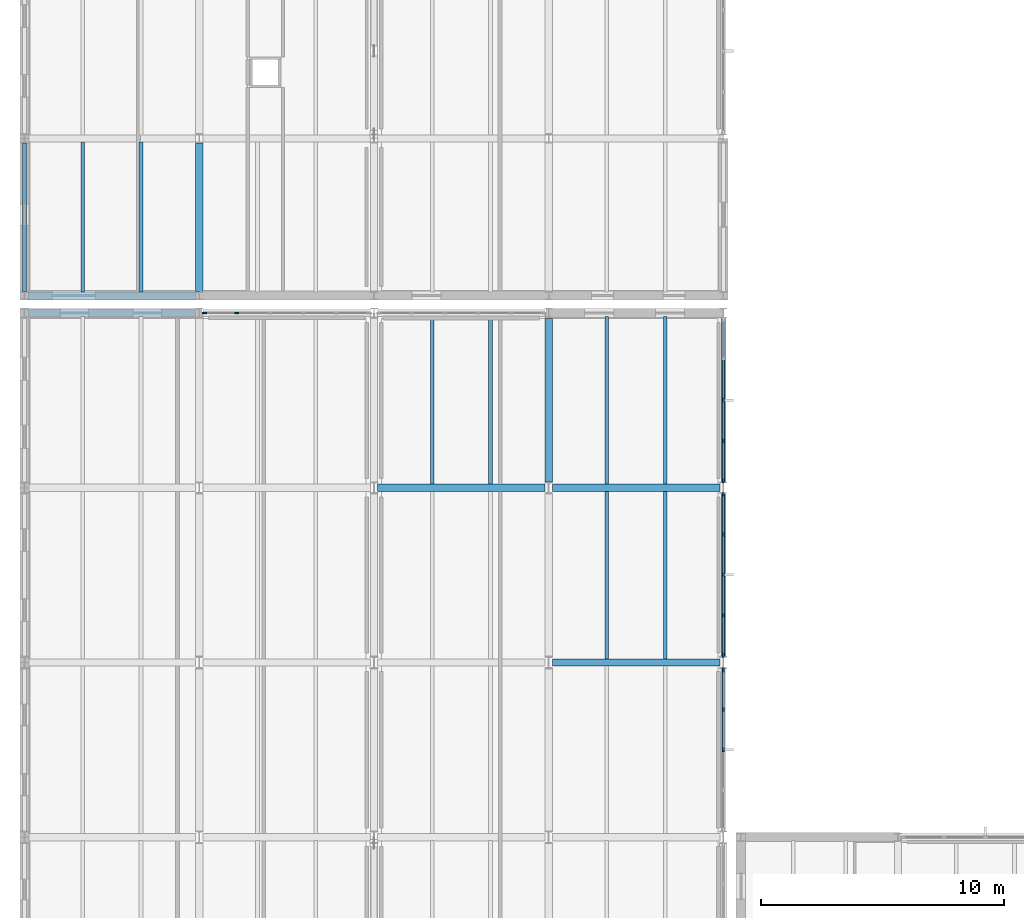
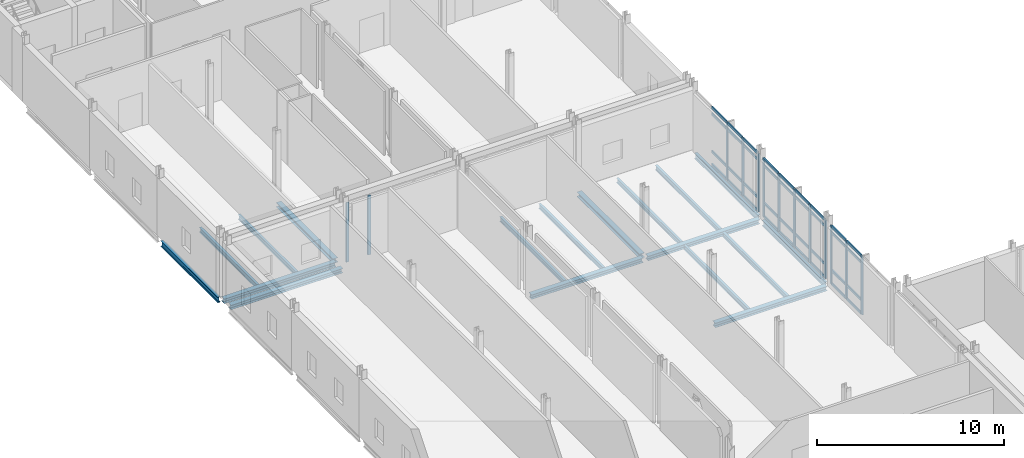
# One storey, part 18 of 76: 49 members, 18 beams, 4 elements without a shape of their own.
"""IFC4 building model written with IfcOpenShell, lengths in metres."""

from ifc_helpers import new_model, si_unit, direction, frame, origin, origin_2d, place, context, subcontext, project, spatial, rectangle, i_section, extrude, material, layer, layer_set, material_profile, profile_set, type_object, element, aggregate, save


model = new_model("IFC4")

# Units and contexts
model_context = context("Model", 3, precision=1e-05, world=origin(), true_north=direction((0.0, 1.0)))
body_context = subcontext(model_context, "Body", "Model", "MODEL_VIEW")
ifc_project = project(units=[si_unit("LENGTHUNIT", "METRE"), si_unit("AREAUNIT", "SQUARE_METRE"), si_unit("VOLUMEUNIT", "CUBIC_METRE"), si_unit("PLANEANGLEUNIT", "RADIAN"), si_unit("MASSUNIT", "GRAM", prefix="KILO")], contexts=[model_context])

# Site, building, storey
site_placement = place(None, origin())
site = spatial("IfcSite", under=ifc_project, at=site_placement, CompositionType="ELEMENT")
building_placement = place(site_placement, origin())
building = spatial("IfcBuilding", under=site, at=building_placement, Name="Zarrinpeak Specialist Clinic", CompositionType="ELEMENT")
storey_placement = place(building_placement, frame((0.0, 0.0, 5.199951171875)))
storey = spatial("IfcBuildingStorey", under=building, at=storey_placement, Name="L01", CompositionType="ELEMENT", Elevation=5.199951171875)

# Beams
ifc_material_1 = material(Name="Steel S355", Category="steel")
ifc_material_profile_1 = material_profile(ifc_material_1, i_section(OverallWidth=0.300048828125, OverallDepth=0.2900390625, WebThickness=0.008544921875, FlangeThickness=0.013916015625, FilletRadius=0.027099609375, at=origin_2d()), Name="HEA 300")
ifc_profile_set_1 = profile_set([ifc_material_profile_1], Name="Steel S355")
beam_type_1 = type_object("IfcBeamType", Name="BM-HEA300", PredefinedType="BEAM", material=ifc_profile_set_1)
beam_1_placement = place(storey_placement, frame((21.748046875, 36.0, -0.375), z_axis=(1.0, 0.0, 0.0), x_axis=(0.0, 1.0, 0.0)))
element("IfcBeam", 1, at=beam_1_placement, inside=storey, type_object=beam_type_1, Name="L01 Primary Floor Girder BM-L01-X0768", PredefinedType="BEAM", context=body_context, shape_type="SweptSolid", body=[
    extrude(i_section(OverallWidth=0.300048828125, OverallDepth=0.2900390625, WebThickness=0.008544921875, FlangeThickness=0.013916015625, FilletRadius=0.027099609375, at=origin_2d()), origin(), (0.0, 0.0, 1.0), 6.904052734375),
])
beam_2_placement = place(storey_placement, frame((14.548095703125, 43.199951171875, -0.375), z_axis=(1.0, 0.0, 0.0), x_axis=(0.0, 1.0, 0.0)))
element("IfcBeam", 2, at=beam_2_placement, inside=storey, type_object=beam_type_1, Name="L01 Primary Floor Girder BM-L01-X0772", PredefinedType="BEAM", context=body_context, shape_type="SweptSolid", body=[
    extrude(i_section(OverallWidth=0.300048828125, OverallDepth=0.2900390625, WebThickness=0.008544921875, FlangeThickness=0.013916015625, FilletRadius=0.027099609375, at=origin_2d()), origin(), (0.0, 0.0, 1.0), 6.90380859375),
])
for number, where, z_axis, x_axis, name in (
    (3, (21.748046875, 43.199951171875, -0.375), (1.0, 0.0, 0.0), (0.0, 1.0, 0.0), "L01 Primary Floor Girder BM-L01-X0773"),
    (4, (0.14794921875, 50.39990234375, -0.375), (1.0, 0.0, 0.0), (0.0, 1.0, 0.0), "L01 Primary Floor Girder BM-L01-X0776"),
    (5, (0.14794921875, 51.1201171875, -0.405029296875), (1.0, 0.0, 0.0), (0.0, 1.0, 0.0), "L01 Primary Floor Girder BM-L01-X0781"),
):
    element("IfcBeam", number, at=place(storey_placement, frame(where, z_axis=z_axis, x_axis=x_axis)), inside=storey, type_object=beam_type_1, Name=name, PredefinedType="BEAM", context=body_context, shape_type="SweptSolid", body=[
        extrude(i_section(OverallWidth=0.300048828125, OverallDepth=0.2900390625, WebThickness=0.008544921875, FlangeThickness=0.013916015625, FilletRadius=0.027099609375, at=origin_2d()), origin(), (0.0, 0.0, 1.0), 6.904052734375),
    ])
beam_3_placement = place(storey_placement, frame((7.199951171875, 51.298095703125, -0.405029296875), z_axis=(0.0, 1.0, 0.0), x_axis=(-1.0, 0.0, 0.0)))
element("IfcBeam", 6, at=beam_3_placement, inside=storey, type_object=beam_type_1, Name="L01 Primary Beam BM-L01-Y0845", PredefinedType="BEAM", context=body_context, shape_type="SweptSolid", body=[
    extrude(i_section(OverallWidth=0.300048828125, OverallDepth=0.2900390625, WebThickness=0.008544921875, FlangeThickness=0.013916015625, FilletRadius=0.027099609375, at=origin_2d()), origin(), (0.0, 0.0, 1.0), 6.10400390625),
])
beam_4_placement = place(storey_placement, frame((21.60009765625, 43.447998046875, -0.375), z_axis=(0.0, 1.0, 0.0), x_axis=(-1.0, 0.0, 0.0)))
element("IfcBeam", 7, at=beam_4_placement, inside=storey, type_object=beam_type_1, Name="L01 Primary Beam BM-L01-Y0868", PredefinedType="BEAM", context=body_context, shape_type="SweptSolid", body=[
    extrude(i_section(OverallWidth=0.300048828125, OverallDepth=0.2900390625, WebThickness=0.008544921875, FlangeThickness=0.013916015625, FilletRadius=0.027099609375, at=origin_2d()), origin(), (0.0, 0.0, 1.0), 6.72900390625),
])
ifc_material_profile_2 = material_profile(ifc_material_1, i_section(OverallWidth=0.14990234375, OverallDepth=0.300048828125, WebThickness=0.007080078125, FlangeThickness=0.0107421875, FilletRadius=0.014892578125, at=origin_2d()), Name="IPE 300")
ifc_profile_set_2 = profile_set([ifc_material_profile_2], Name="Steel S355")
beam_type_2 = type_object("IfcBeamType", Name="BM-JST300", PredefinedType="JOIST", material=ifc_profile_set_2)
for number, where, z_axis, x_axis, name in (
    (8, (16.800048828125, 43.347900390625, -0.3798828125), (0.0, 1.0, 0.0), (-1.0, 0.0, 0.0), "L01 Composite Floor Joist JST-L01-0979"),
    (9, (19.199951171875, 43.347900390625, -0.3798828125), (0.0, 1.0, 0.0), (-1.0, 0.0, 0.0), "L01 Composite Floor Joist JST-L01-0980"),
    (10, (24.0, 36.14794921875, -0.3798828125), (0.0, 1.0, 0.0), (-1.0, 0.0, 0.0), "L01 Composite Floor Joist JST-L01-0985"),
    (11, (26.39990234375, 36.14794921875, -0.3798828125), (0.0, 1.0, 0.0), (-1.0, 0.0, 0.0), "L01 Composite Floor Joist JST-L01-0986"),
    (12, (24.0, 43.347900390625, -0.3798828125), (0.0, 1.0, 0.0), (-1.0, 0.0, 0.0), "L01 Composite Floor Joist JST-L01-0987"),
    (13, (26.39990234375, 43.347900390625, -0.3798828125), (0.0, 1.0, 0.0), (-1.0, 0.0, 0.0), "L01 Composite Floor Joist JST-L01-0988"),
):
    element("IfcBeam", number, at=place(storey_placement, frame(where, z_axis=z_axis, x_axis=x_axis)), inside=storey, type_object=beam_type_2, Name=name, PredefinedType="JOIST", context=body_context, shape_type="SweptSolid", body=[
        extrude(i_section(OverallWidth=0.14990234375, OverallDepth=0.300048828125, WebThickness=0.007080078125, FlangeThickness=0.0107421875, FilletRadius=0.014892578125, at=origin_2d()), origin(), (0.0, 0.0, 1.0), 6.904052734375),
    ])
for number, where, z_axis, x_axis, name in (
    (14, (2.39990234375, 51.26806640625, -0.409912109375), (0.0, 1.0, 0.0), (-1.0, 0.0, 0.0), "L01 Composite Floor Joist JST-L01-1045"),
    (15, (4.800048828125, 51.26806640625, -0.409912109375), (0.0, 1.0, 0.0), (-1.0, 0.0, 0.0), "L01 Composite Floor Joist JST-L01-1046"),
):
    element("IfcBeam", number, at=place(storey_placement, frame(where, z_axis=z_axis, x_axis=x_axis)), inside=storey, type_object=beam_type_2, Name=name, PredefinedType="JOIST", context=body_context, shape_type="SweptSolid", body=[
        extrude(i_section(OverallWidth=0.14990234375, OverallDepth=0.300048828125, WebThickness=0.007080078125, FlangeThickness=0.0107421875, FilletRadius=0.014892578125, at=origin_2d()), origin(), (0.0, 0.0, 1.0), 6.183837890625),
    ])
ifc_material_profile_3 = material_profile(ifc_material_1, i_section(OverallWidth=0.169921875, OverallDepth=0.360107421875, WebThickness=0.008056640625, FlangeThickness=0.0126953125, FilletRadius=0.01806640625, at=origin_2d()), Name="IPE 360")
ifc_profile_set_3 = profile_set([ifc_material_profile_3], Name="Steel S355")
beam_type_3 = type_object("IfcBeamType", Name="BM-SP360", PredefinedType="SPANDREL", material=ifc_profile_set_3)
beam_5_placement = place(storey_placement, frame((0.0, 51.298095703125, -0.43994140625), z_axis=(0.0, 1.0, 0.0), x_axis=(-1.0, 0.0, 0.0)))
element("IfcBeam", 16, at=beam_5_placement, inside=storey, type_object=beam_type_3, Name="L01 Perimeter Spandrel Beam BM-L01-Y0835", PredefinedType="SPANDREL", context=body_context, shape_type="SweptSolid", body=[
    extrude(i_section(OverallWidth=0.169921875, OverallDepth=0.360107421875, WebThickness=0.008056640625, FlangeThickness=0.0126953125, FilletRadius=0.01806640625, at=origin_2d()), origin(), (0.0, 0.0, 1.0), 6.10400390625),
])
beam_6_placement = place(storey_placement, frame((28.800048828125, 36.248046875, -0.409912109375), z_axis=(0.0, 1.0, 0.0), x_axis=(-1.0, 0.0, 0.0)))
element("IfcBeam", 17, at=beam_6_placement, inside=storey, type_object=beam_type_3, Name="L01 Perimeter Spandrel Beam BM-L01-Y0876", PredefinedType="SPANDREL", context=body_context, shape_type="SweptSolid", body=[
    extrude(i_section(OverallWidth=0.169921875, OverallDepth=0.360107421875, WebThickness=0.008056640625, FlangeThickness=0.0126953125, FilletRadius=0.01806640625, at=origin_2d()), origin(), (0.0, 0.0, 1.0), 6.703857421875),
])
beam_7_placement = place(storey_placement, frame((28.800048828125, 43.447998046875, -0.409912109375), z_axis=(0.0, 1.0, 0.0), x_axis=(-1.0, 0.0, 0.0)))
element("IfcBeam", 18, at=beam_7_placement, inside=storey, type_object=beam_type_3, Name="L01 Perimeter Spandrel Beam BM-L01-Y0877", PredefinedType="SPANDREL", context=body_context, shape_type="SweptSolid", body=[
    extrude(i_section(OverallWidth=0.169921875, OverallDepth=0.360107421875, WebThickness=0.008056640625, FlangeThickness=0.0126953125, FilletRadius=0.01806640625, at=origin_2d()), origin(), (0.0, 0.0, 1.0), 6.72900390625),
])

# Curtain wall, members
ifc_material_2 = material(Name="Anodised Aluminium Alloy 6063-T6", Category="aluminium")
ifc_layer_1 = layer(ifc_material_2, 0.1650390625)
ifc_layer_set_1 = layer_set([ifc_layer_1], Name="Anodised Aluminium Alloy 6063-T6")
curtain_wall_type_1 = type_object("IfcCurtainWallType", Name="CW-CLINIC", PredefinedType="NOTDEFINED", material=ifc_layer_set_1)
curtain_wall_1_placement = place(storey_placement, origin())
curtain_wall_1 = element("IfcCurtainWall", 19, at=curtain_wall_1_placement, inside=storey, type_object=curtain_wall_type_1, Name="L01 V1 Unitised Curtain Wall CW-L01-V1-007", PredefinedType="NOTDEFINED")
ifc_material_profile_4 = material_profile(ifc_material_2, rectangle(XDim=0.074951171875, YDim=0.179931640625, at=origin_2d()), Name="ALU 75x180")
ifc_profile_set_4 = profile_set([ifc_material_profile_4], Name="Anodised Aluminium Alloy 6063-T6")
member_type_1 = type_object("IfcMemberType", Name="CWM-75", PredefinedType="MULLION", material=ifc_profile_set_4)
member_1_placement = place(storey_placement, frame((8.7451171875, 50.39990234375, 0.0), z_axis=(0.0, 0.0, 1.0), x_axis=(0.0, -1.0, 0.0)))
member_1 = element("IfcMember", 20, at=member_1_placement, type_object=member_type_1, Name="CW-03 mullion 5", PredefinedType="MULLION", context=body_context, shape_type="SweptSolid", body=[
    extrude(rectangle(XDim=0.074951171875, YDim=0.179931640625, at=origin_2d()), origin(), (0.0, 0.0, 1.0), 3.880126953125),
])
member_2_placement = place(storey_placement, frame((7.41259765625, 50.39990234375, 0.0), z_axis=(0.0, 0.0, 1.0), x_axis=(0.0, -1.0, 0.0)))
member_2 = element("IfcMember", 21, at=member_2_placement, type_object=member_type_1, Name="CW-03 mullion 6", PredefinedType="MULLION", context=body_context, shape_type="SweptSolid", body=[
    extrude(rectangle(XDim=0.074951171875, YDim=0.179931640625, at=origin_2d()), origin(), (0.0, 0.0, 1.0), 3.880126953125),
])
aggregate(curtain_wall_1, [member_1, member_2])

ifc_layer_2 = layer(ifc_material_2, 0.179931640625)
ifc_layer_set_2 = layer_set([ifc_layer_2], Name="Anodised Aluminium Alloy 6063-T6")
curtain_wall_type_2 = type_object("IfcCurtainWallType", Name="CW-COURT", PredefinedType="NOTDEFINED", material=ifc_layer_set_2)
curtain_wall_2_placement = place(storey_placement, origin())
curtain_wall_2 = element("IfcCurtainWall", 22, at=curtain_wall_2_placement, inside=storey, type_object=curtain_wall_type_2, Name="L01 V1 Unitised Curtain Wall CW-L01-V1-010", PredefinedType="NOTDEFINED")
member_3_placement = place(storey_placement, frame((28.800048828125, 32.39990234375, 0.0), z_axis=(0.0, 0.0, 1.0), x_axis=(-1.0, 0.0, 0.0)))
member_3 = element("IfcMember", 23, at=member_3_placement, type_object=member_type_1, Name="CW-01 mullion 3", PredefinedType="MULLION", context=body_context, shape_type="SweptSolid", body=[
    extrude(rectangle(XDim=0.074951171875, YDim=0.179931640625, at=origin_2d()), origin(), (0.0, 0.0, 1.0), 3.81005859375),
])
member_4_placement = place(storey_placement, frame((28.800048828125, 34.0625, 0.0), z_axis=(0.0, 0.0, 1.0), x_axis=(-1.0, 0.0, 0.0)))
member_4 = element("IfcMember", 24, at=member_4_placement, type_object=member_type_1, Name="CW-01 mullion 4", PredefinedType="MULLION", context=body_context, shape_type="SweptSolid", body=[
    extrude(rectangle(XDim=0.074951171875, YDim=0.179931640625, at=origin_2d()), origin(), (0.0, 0.0, 1.0), 3.81005859375),
])
member_5_placement = place(storey_placement, frame((28.800048828125, 35.6875, 0.0), z_axis=(0.0, 0.0, 1.0), x_axis=(-1.0, 0.0, 0.0)))
member_5 = element("IfcMember", 25, at=member_5_placement, type_object=member_type_1, Name="CW-01 mullion 5", PredefinedType="MULLION", context=body_context, shape_type="SweptSolid", body=[
    extrude(rectangle(XDim=0.074951171875, YDim=0.179931640625, at=origin_2d()), origin(), (0.0, 0.0, 1.0), 3.81005859375),
])

curtain_wall_3_placement = place(storey_placement, origin())
curtain_wall_3 = element("IfcCurtainWall", 26, at=curtain_wall_3_placement, inside=storey, type_object=curtain_wall_type_2, Name="L01 V1 Unitised Curtain Wall CW-L01-V1-011", PredefinedType="NOTDEFINED")
member_6_placement = place(storey_placement, frame((28.800048828125, 36.3125, 0.0), z_axis=(0.0, 0.0, 1.0), x_axis=(-1.0, 0.0, 0.0)))
member_6 = element("IfcMember", 27, at=member_6_placement, type_object=member_type_1, Name="CW-01 mullion 1", PredefinedType="MULLION", context=body_context, shape_type="SweptSolid", body=[
    extrude(rectangle(XDim=0.074951171875, YDim=0.179931640625, at=origin_2d()), origin(), (0.0, 0.0, 1.0), 3.81005859375),
])
member_7_placement = place(storey_placement, frame((28.800048828125, 37.94384765625, 0.0), z_axis=(0.0, 0.0, 1.0), x_axis=(-1.0, 0.0, 0.0)))
member_7 = element("IfcMember", 28, at=member_7_placement, type_object=member_type_1, Name="CW-01 mullion 2", PredefinedType="MULLION", context=body_context, shape_type="SweptSolid", body=[
    extrude(rectangle(XDim=0.074951171875, YDim=0.179931640625, at=origin_2d()), origin(), (0.0, 0.0, 1.0), 3.81005859375),
])
member_8_placement = place(storey_placement, frame((28.800048828125, 39.612548828125, 0.0), z_axis=(0.0, 0.0, 1.0), x_axis=(-1.0, 0.0, 0.0)))
member_8 = element("IfcMember", 29, at=member_8_placement, type_object=member_type_1, Name="CW-01 mullion 3", PredefinedType="MULLION", context=body_context, shape_type="SweptSolid", body=[
    extrude(rectangle(XDim=0.074951171875, YDim=0.179931640625, at=origin_2d()), origin(), (0.0, 0.0, 1.0), 3.81005859375),
])
member_9_placement = place(storey_placement, frame((28.800048828125, 41.28125, 0.0), z_axis=(0.0, 0.0, 1.0), x_axis=(-1.0, 0.0, 0.0)))
member_9 = element("IfcMember", 30, at=member_9_placement, type_object=member_type_1, Name="CW-01 mullion 4", PredefinedType="MULLION", context=body_context, shape_type="SweptSolid", body=[
    extrude(rectangle(XDim=0.074951171875, YDim=0.179931640625, at=origin_2d()), origin(), (0.0, 0.0, 1.0), 3.81005859375),
])
member_10_placement = place(storey_placement, frame((28.800048828125, 42.91259765625, 0.0), z_axis=(0.0, 0.0, 1.0), x_axis=(-1.0, 0.0, 0.0)))
member_10 = element("IfcMember", 31, at=member_10_placement, type_object=member_type_1, Name="CW-01 mullion 5", PredefinedType="MULLION", context=body_context, shape_type="SweptSolid", body=[
    extrude(rectangle(XDim=0.074951171875, YDim=0.179931640625, at=origin_2d()), origin(), (0.0, 0.0, 1.0), 3.81005859375),
])

curtain_wall_4_placement = place(storey_placement, origin())
curtain_wall_4 = element("IfcCurtainWall", 32, at=curtain_wall_4_placement, inside=storey, type_object=curtain_wall_type_2, Name="L01 V1 Unitised Curtain Wall CW-L01-V1-012", PredefinedType="NOTDEFINED")
member_11_placement = place(storey_placement, frame((28.800048828125, 43.487548828125, 0.0), z_axis=(0.0, 0.0, 1.0), x_axis=(-1.0, 0.0, 0.0)))
member_11 = element("IfcMember", 33, at=member_11_placement, type_object=member_type_1, Name="CW-01 mullion 1", PredefinedType="MULLION", context=body_context, shape_type="SweptSolid", body=[
    extrude(rectangle(XDim=0.074951171875, YDim=0.179931640625, at=origin_2d()), origin(), (0.0, 0.0, 1.0), 3.81005859375),
])
member_12_placement = place(storey_placement, frame((28.800048828125, 45.13134765625, 0.0), z_axis=(0.0, 0.0, 1.0), x_axis=(-1.0, 0.0, 0.0)))
member_12 = element("IfcMember", 34, at=member_12_placement, type_object=member_type_1, Name="CW-01 mullion 2", PredefinedType="MULLION", context=body_context, shape_type="SweptSolid", body=[
    extrude(rectangle(XDim=0.074951171875, YDim=0.179931640625, at=origin_2d()), origin(), (0.0, 0.0, 1.0), 3.81005859375),
])
member_13_placement = place(storey_placement, frame((28.800048828125, 46.8125, 0.0), z_axis=(0.0, 0.0, 1.0), x_axis=(-1.0, 0.0, 0.0)))
member_13 = element("IfcMember", 35, at=member_13_placement, type_object=member_type_1, Name="CW-01 mullion 3", PredefinedType="MULLION", context=body_context, shape_type="SweptSolid", body=[
    extrude(rectangle(XDim=0.074951171875, YDim=0.179931640625, at=origin_2d()), origin(), (0.0, 0.0, 1.0), 3.81005859375),
])

# Member
ifc_material_profile_5 = material_profile(ifc_material_2, rectangle(XDim=0.074951171875, YDim=0.159912109375, at=origin_2d()), Name="ALU 75x160")
ifc_profile_set_5 = profile_set([ifc_material_profile_5], Name="Anodised Aluminium Alloy 6063-T6")
member_type_2 = type_object("IfcMemberType", Name="CWT-75", PredefinedType="USERDEFINED", material=ifc_profile_set_5)
member_14_placement = place(storey_placement, frame((28.800048828125, 32.4375, 0.03759765625), z_axis=(0.0, 1.0, 0.0), x_axis=(-1.0, 0.0, 0.0)))
member_14 = element("IfcMember", 36, at=member_14_placement, type_object=member_type_2, Name="CW-01 transom 3.1", ObjectType="TRANSOM", PredefinedType="USERDEFINED", context=body_context, shape_type="SweptSolid", body=[
    extrude(rectangle(XDim=0.074951171875, YDim=0.159912109375, at=origin_2d()), origin(), (0.0, 0.0, 1.0), 1.58740234375),
])

member_15_placement = place(storey_placement, frame((28.800048828125, 32.4375, 0.900146484375), z_axis=(0.0, 1.0, 0.0), x_axis=(-1.0, 0.0, 0.0)))
member_15 = element("IfcMember", 37, at=member_15_placement, type_object=member_type_2, Name="CW-01 transom 3.2", ObjectType="TRANSOM", PredefinedType="USERDEFINED", context=body_context, shape_type="SweptSolid", body=[
    extrude(rectangle(XDim=0.074951171875, YDim=0.159912109375, at=origin_2d()), origin(), (0.0, 0.0, 1.0), 1.58740234375),
])

member_16_placement = place(storey_placement, frame((28.800048828125, 32.4375, 3.360107421875), z_axis=(0.0, 1.0, 0.0), x_axis=(-1.0, 0.0, 0.0)))
member_16 = element("IfcMember", 38, at=member_16_placement, type_object=member_type_2, Name="CW-01 transom 3.3", ObjectType="TRANSOM", PredefinedType="USERDEFINED", context=body_context, shape_type="SweptSolid", body=[
    extrude(rectangle(XDim=0.074951171875, YDim=0.159912109375, at=origin_2d()), origin(), (0.0, 0.0, 1.0), 1.58740234375),
])

member_17_placement = place(storey_placement, frame((28.800048828125, 32.4375, 3.7724609375), z_axis=(0.0, 1.0, 0.0), x_axis=(-1.0, 0.0, 0.0)))
member_17 = element("IfcMember", 39, at=member_17_placement, type_object=member_type_2, Name="CW-01 transom 3.4", ObjectType="TRANSOM", PredefinedType="USERDEFINED", context=body_context, shape_type="SweptSolid", body=[
    extrude(rectangle(XDim=0.074951171875, YDim=0.159912109375, at=origin_2d()), origin(), (0.0, 0.0, 1.0), 1.58740234375),
])

member_18_placement = place(storey_placement, frame((28.800048828125, 34.10009765625, 0.03759765625), z_axis=(0.0, 1.0, 0.0), x_axis=(-1.0, 0.0, 0.0)))
member_18 = element("IfcMember", 40, at=member_18_placement, type_object=member_type_2, Name="CW-01 transom 4.1", ObjectType="TRANSOM", PredefinedType="USERDEFINED", context=body_context, shape_type="SweptSolid", body=[
    extrude(rectangle(XDim=0.074951171875, YDim=0.159912109375, at=origin_2d()), origin(), (0.0, 0.0, 1.0), 1.5498046875),
])

member_19_placement = place(storey_placement, frame((28.800048828125, 34.10009765625, 0.900146484375), z_axis=(0.0, 1.0, 0.0), x_axis=(-1.0, 0.0, 0.0)))
member_19 = element("IfcMember", 41, at=member_19_placement, type_object=member_type_2, Name="CW-01 transom 4.2", ObjectType="TRANSOM", PredefinedType="USERDEFINED", context=body_context, shape_type="SweptSolid", body=[
    extrude(rectangle(XDim=0.074951171875, YDim=0.159912109375, at=origin_2d()), origin(), (0.0, 0.0, 1.0), 1.5498046875),
])

member_20_placement = place(storey_placement, frame((28.800048828125, 34.10009765625, 3.360107421875), z_axis=(0.0, 1.0, 0.0), x_axis=(-1.0, 0.0, 0.0)))
member_20 = element("IfcMember", 42, at=member_20_placement, type_object=member_type_2, Name="CW-01 transom 4.3", ObjectType="TRANSOM", PredefinedType="USERDEFINED", context=body_context, shape_type="SweptSolid", body=[
    extrude(rectangle(XDim=0.074951171875, YDim=0.159912109375, at=origin_2d()), origin(), (0.0, 0.0, 1.0), 1.5498046875),
])

member_21_placement = place(storey_placement, frame((28.800048828125, 34.10009765625, 3.7724609375), z_axis=(0.0, 1.0, 0.0), x_axis=(-1.0, 0.0, 0.0)))
member_21 = element("IfcMember", 43, at=member_21_placement, type_object=member_type_2, Name="CW-01 transom 4.4", ObjectType="TRANSOM", PredefinedType="USERDEFINED", context=body_context, shape_type="SweptSolid", body=[
    extrude(rectangle(XDim=0.074951171875, YDim=0.159912109375, at=origin_2d()), origin(), (0.0, 0.0, 1.0), 1.5498046875),
])

aggregate(curtain_wall_2, [member_3, member_4, member_5, member_14, member_15, member_16, member_17, member_18, member_19, member_20, member_21])

member_22_placement = place(storey_placement, frame((28.800048828125, 36.35009765625, 0.03759765625), z_axis=(0.0, 1.0, 0.0), x_axis=(-1.0, 0.0, 0.0)))
member_22 = element("IfcMember", 44, at=member_22_placement, type_object=member_type_2, Name="CW-01 transom 1.1", ObjectType="TRANSOM", PredefinedType="USERDEFINED", context=body_context, shape_type="SweptSolid", body=[
    extrude(rectangle(XDim=0.074951171875, YDim=0.159912109375, at=origin_2d()), origin(), (0.0, 0.0, 1.0), 1.55615234375),
])

member_23_placement = place(storey_placement, frame((28.800048828125, 36.35009765625, 0.900146484375), z_axis=(0.0, 1.0, 0.0), x_axis=(-1.0, 0.0, 0.0)))
member_23 = element("IfcMember", 45, at=member_23_placement, type_object=member_type_2, Name="CW-01 transom 1.2", ObjectType="TRANSOM", PredefinedType="USERDEFINED", context=body_context, shape_type="SweptSolid", body=[
    extrude(rectangle(XDim=0.074951171875, YDim=0.159912109375, at=origin_2d()), origin(), (0.0, 0.0, 1.0), 1.55615234375),
])

member_24_placement = place(storey_placement, frame((28.800048828125, 36.35009765625, 3.360107421875), z_axis=(0.0, 1.0, 0.0), x_axis=(-1.0, 0.0, 0.0)))
member_24 = element("IfcMember", 46, at=member_24_placement, type_object=member_type_2, Name="CW-01 transom 1.3", ObjectType="TRANSOM", PredefinedType="USERDEFINED", context=body_context, shape_type="SweptSolid", body=[
    extrude(rectangle(XDim=0.074951171875, YDim=0.159912109375, at=origin_2d()), origin(), (0.0, 0.0, 1.0), 1.55615234375),
])

member_25_placement = place(storey_placement, frame((28.800048828125, 36.35009765625, 3.7724609375), z_axis=(0.0, 1.0, 0.0), x_axis=(-1.0, 0.0, 0.0)))
member_25 = element("IfcMember", 47, at=member_25_placement, type_object=member_type_2, Name="CW-01 transom 1.4", ObjectType="TRANSOM", PredefinedType="USERDEFINED", context=body_context, shape_type="SweptSolid", body=[
    extrude(rectangle(XDim=0.074951171875, YDim=0.159912109375, at=origin_2d()), origin(), (0.0, 0.0, 1.0), 1.55615234375),
])

member_26_placement = place(storey_placement, frame((28.800048828125, 37.981201171875, 0.03759765625), z_axis=(0.0, 1.0, 0.0), x_axis=(-1.0, 0.0, 0.0)))
member_26 = element("IfcMember", 48, at=member_26_placement, type_object=member_type_2, Name="CW-01 transom 2.1", ObjectType="TRANSOM", PredefinedType="USERDEFINED", context=body_context, shape_type="SweptSolid", body=[
    extrude(rectangle(XDim=0.074951171875, YDim=0.159912109375, at=origin_2d()), origin(), (0.0, 0.0, 1.0), 1.59375),
])

member_27_placement = place(storey_placement, frame((28.800048828125, 37.981201171875, 0.900146484375), z_axis=(0.0, 1.0, 0.0), x_axis=(-1.0, 0.0, 0.0)))
member_27 = element("IfcMember", 49, at=member_27_placement, type_object=member_type_2, Name="CW-01 transom 2.2", ObjectType="TRANSOM", PredefinedType="USERDEFINED", context=body_context, shape_type="SweptSolid", body=[
    extrude(rectangle(XDim=0.074951171875, YDim=0.159912109375, at=origin_2d()), origin(), (0.0, 0.0, 1.0), 1.59375),
])

member_28_placement = place(storey_placement, frame((28.800048828125, 37.981201171875, 3.360107421875), z_axis=(0.0, 1.0, 0.0), x_axis=(-1.0, 0.0, 0.0)))
member_28 = element("IfcMember", 50, at=member_28_placement, type_object=member_type_2, Name="CW-01 transom 2.3", ObjectType="TRANSOM", PredefinedType="USERDEFINED", context=body_context, shape_type="SweptSolid", body=[
    extrude(rectangle(XDim=0.074951171875, YDim=0.159912109375, at=origin_2d()), origin(), (0.0, 0.0, 1.0), 1.59375),
])

member_29_placement = place(storey_placement, frame((28.800048828125, 37.981201171875, 3.7724609375), z_axis=(0.0, 1.0, 0.0), x_axis=(-1.0, 0.0, 0.0)))
member_29 = element("IfcMember", 51, at=member_29_placement, type_object=member_type_2, Name="CW-01 transom 2.4", ObjectType="TRANSOM", PredefinedType="USERDEFINED", context=body_context, shape_type="SweptSolid", body=[
    extrude(rectangle(XDim=0.074951171875, YDim=0.159912109375, at=origin_2d()), origin(), (0.0, 0.0, 1.0), 1.59375),
])

member_30_placement = place(storey_placement, frame((28.800048828125, 39.64990234375, 0.03759765625), z_axis=(0.0, 1.0, 0.0), x_axis=(-1.0, 0.0, 0.0)))
member_30 = element("IfcMember", 52, at=member_30_placement, type_object=member_type_2, Name="CW-01 transom 3.1", ObjectType="TRANSOM", PredefinedType="USERDEFINED", context=body_context, shape_type="SweptSolid", body=[
    extrude(rectangle(XDim=0.074951171875, YDim=0.159912109375, at=origin_2d()), origin(), (0.0, 0.0, 1.0), 1.59375),
])

member_31_placement = place(storey_placement, frame((28.800048828125, 39.64990234375, 0.900146484375), z_axis=(0.0, 1.0, 0.0), x_axis=(-1.0, 0.0, 0.0)))
member_31 = element("IfcMember", 53, at=member_31_placement, type_object=member_type_2, Name="CW-01 transom 3.2", ObjectType="TRANSOM", PredefinedType="USERDEFINED", context=body_context, shape_type="SweptSolid", body=[
    extrude(rectangle(XDim=0.074951171875, YDim=0.159912109375, at=origin_2d()), origin(), (0.0, 0.0, 1.0), 1.59375),
])

member_32_placement = place(storey_placement, frame((28.800048828125, 39.64990234375, 3.360107421875), z_axis=(0.0, 1.0, 0.0), x_axis=(-1.0, 0.0, 0.0)))
member_32 = element("IfcMember", 54, at=member_32_placement, type_object=member_type_2, Name="CW-01 transom 3.3", ObjectType="TRANSOM", PredefinedType="USERDEFINED", context=body_context, shape_type="SweptSolid", body=[
    extrude(rectangle(XDim=0.074951171875, YDim=0.159912109375, at=origin_2d()), origin(), (0.0, 0.0, 1.0), 1.59375),
])

member_33_placement = place(storey_placement, frame((28.800048828125, 39.64990234375, 3.7724609375), z_axis=(0.0, 1.0, 0.0), x_axis=(-1.0, 0.0, 0.0)))
member_33 = element("IfcMember", 55, at=member_33_placement, type_object=member_type_2, Name="CW-01 transom 3.4", ObjectType="TRANSOM", PredefinedType="USERDEFINED", context=body_context, shape_type="SweptSolid", body=[
    extrude(rectangle(XDim=0.074951171875, YDim=0.159912109375, at=origin_2d()), origin(), (0.0, 0.0, 1.0), 1.59375),
])

member_34_placement = place(storey_placement, frame((28.800048828125, 41.31884765625, 0.03759765625), z_axis=(0.0, 1.0, 0.0), x_axis=(-1.0, 0.0, 0.0)))
member_34 = element("IfcMember", 56, at=member_34_placement, type_object=member_type_2, Name="CW-01 transom 4.1", ObjectType="TRANSOM", PredefinedType="USERDEFINED", context=body_context, shape_type="SweptSolid", body=[
    extrude(rectangle(XDim=0.074951171875, YDim=0.159912109375, at=origin_2d()), origin(), (0.0, 0.0, 1.0), 1.55615234375),
])

member_35_placement = place(storey_placement, frame((28.800048828125, 41.31884765625, 0.900146484375), z_axis=(0.0, 1.0, 0.0), x_axis=(-1.0, 0.0, 0.0)))
member_35 = element("IfcMember", 57, at=member_35_placement, type_object=member_type_2, Name="CW-01 transom 4.2", ObjectType="TRANSOM", PredefinedType="USERDEFINED", context=body_context, shape_type="SweptSolid", body=[
    extrude(rectangle(XDim=0.074951171875, YDim=0.159912109375, at=origin_2d()), origin(), (0.0, 0.0, 1.0), 1.55615234375),
])

member_36_placement = place(storey_placement, frame((28.800048828125, 41.31884765625, 3.360107421875), z_axis=(0.0, 1.0, 0.0), x_axis=(-1.0, 0.0, 0.0)))
member_36 = element("IfcMember", 58, at=member_36_placement, type_object=member_type_2, Name="CW-01 transom 4.3", ObjectType="TRANSOM", PredefinedType="USERDEFINED", context=body_context, shape_type="SweptSolid", body=[
    extrude(rectangle(XDim=0.074951171875, YDim=0.159912109375, at=origin_2d()), origin(), (0.0, 0.0, 1.0), 1.55615234375),
])

member_37_placement = place(storey_placement, frame((28.800048828125, 41.31884765625, 3.7724609375), z_axis=(0.0, 1.0, 0.0), x_axis=(-1.0, 0.0, 0.0)))
member_37 = element("IfcMember", 59, at=member_37_placement, type_object=member_type_2, Name="CW-01 transom 4.4", ObjectType="TRANSOM", PredefinedType="USERDEFINED", context=body_context, shape_type="SweptSolid", body=[
    extrude(rectangle(XDim=0.074951171875, YDim=0.159912109375, at=origin_2d()), origin(), (0.0, 0.0, 1.0), 1.55615234375),
])

aggregate(curtain_wall_3, [member_6, member_7, member_8, member_9, member_10, member_22, member_23, member_24, member_25, member_26, member_27, member_28, member_29, member_30, member_31, member_32, member_33, member_34, member_35, member_36, member_37])

member_38_placement = place(storey_placement, frame((28.800048828125, 43.52490234375, 0.03759765625), z_axis=(0.0, 1.0, 0.0), x_axis=(-1.0, 0.0, 0.0)))
member_38 = element("IfcMember", 60, at=member_38_placement, type_object=member_type_2, Name="CW-01 transom 1.1", ObjectType="TRANSOM", PredefinedType="USERDEFINED", context=body_context, shape_type="SweptSolid", body=[
    extrude(rectangle(XDim=0.074951171875, YDim=0.159912109375, at=origin_2d()), origin(), (0.0, 0.0, 1.0), 1.56884765625),
])

member_39_placement = place(storey_placement, frame((28.800048828125, 43.52490234375, 0.900146484375), z_axis=(0.0, 1.0, 0.0), x_axis=(-1.0, 0.0, 0.0)))
member_39 = element("IfcMember", 61, at=member_39_placement, type_object=member_type_2, Name="CW-01 transom 1.2", ObjectType="TRANSOM", PredefinedType="USERDEFINED", context=body_context, shape_type="SweptSolid", body=[
    extrude(rectangle(XDim=0.074951171875, YDim=0.159912109375, at=origin_2d()), origin(), (0.0, 0.0, 1.0), 1.56884765625),
])

member_40_placement = place(storey_placement, frame((28.800048828125, 43.52490234375, 3.360107421875), z_axis=(0.0, 1.0, 0.0), x_axis=(-1.0, 0.0, 0.0)))
member_40 = element("IfcMember", 62, at=member_40_placement, type_object=member_type_2, Name="CW-01 transom 1.3", ObjectType="TRANSOM", PredefinedType="USERDEFINED", context=body_context, shape_type="SweptSolid", body=[
    extrude(rectangle(XDim=0.074951171875, YDim=0.159912109375, at=origin_2d()), origin(), (0.0, 0.0, 1.0), 1.56884765625),
])

member_41_placement = place(storey_placement, frame((28.800048828125, 43.52490234375, 3.7724609375), z_axis=(0.0, 1.0, 0.0), x_axis=(-1.0, 0.0, 0.0)))
member_41 = element("IfcMember", 63, at=member_41_placement, type_object=member_type_2, Name="CW-01 transom 1.4", ObjectType="TRANSOM", PredefinedType="USERDEFINED", context=body_context, shape_type="SweptSolid", body=[
    extrude(rectangle(XDim=0.074951171875, YDim=0.159912109375, at=origin_2d()), origin(), (0.0, 0.0, 1.0), 1.56884765625),
])

member_42_placement = place(storey_placement, frame((28.800048828125, 45.168701171875, 0.03759765625), z_axis=(0.0, 1.0, 0.0), x_axis=(-1.0, 0.0, 0.0)))
member_42 = element("IfcMember", 64, at=member_42_placement, type_object=member_type_2, Name="CW-01 transom 2.1", ObjectType="TRANSOM", PredefinedType="USERDEFINED", context=body_context, shape_type="SweptSolid", body=[
    extrude(rectangle(XDim=0.074951171875, YDim=0.159912109375, at=origin_2d()), origin(), (0.0, 0.0, 1.0), 1.606201171875),
])

member_43_placement = place(storey_placement, frame((28.800048828125, 45.168701171875, 0.900146484375), z_axis=(0.0, 1.0, 0.0), x_axis=(-1.0, 0.0, 0.0)))
member_43 = element("IfcMember", 65, at=member_43_placement, type_object=member_type_2, Name="CW-01 transom 2.2", ObjectType="TRANSOM", PredefinedType="USERDEFINED", context=body_context, shape_type="SweptSolid", body=[
    extrude(rectangle(XDim=0.074951171875, YDim=0.159912109375, at=origin_2d()), origin(), (0.0, 0.0, 1.0), 1.606201171875),
])

member_44_placement = place(storey_placement, frame((28.800048828125, 45.168701171875, 3.360107421875), z_axis=(0.0, 1.0, 0.0), x_axis=(-1.0, 0.0, 0.0)))
member_44 = element("IfcMember", 66, at=member_44_placement, type_object=member_type_2, Name="CW-01 transom 2.3", ObjectType="TRANSOM", PredefinedType="USERDEFINED", context=body_context, shape_type="SweptSolid", body=[
    extrude(rectangle(XDim=0.074951171875, YDim=0.159912109375, at=origin_2d()), origin(), (0.0, 0.0, 1.0), 1.606201171875),
])

member_45_placement = place(storey_placement, frame((28.800048828125, 45.168701171875, 3.7724609375), z_axis=(0.0, 1.0, 0.0), x_axis=(-1.0, 0.0, 0.0)))
member_45 = element("IfcMember", 67, at=member_45_placement, type_object=member_type_2, Name="CW-01 transom 2.4", ObjectType="TRANSOM", PredefinedType="USERDEFINED", context=body_context, shape_type="SweptSolid", body=[
    extrude(rectangle(XDim=0.074951171875, YDim=0.159912109375, at=origin_2d()), origin(), (0.0, 0.0, 1.0), 1.606201171875),
])

member_46_placement = place(storey_placement, frame((28.800048828125, 46.85009765625, 0.03759765625), z_axis=(0.0, 1.0, 0.0), x_axis=(-1.0, 0.0, 0.0)))
member_46 = element("IfcMember", 68, at=member_46_placement, type_object=member_type_2, Name="CW-01 transom 3.1", ObjectType="TRANSOM", PredefinedType="USERDEFINED", context=body_context, shape_type="SweptSolid", body=[
    extrude(rectangle(XDim=0.074951171875, YDim=0.159912109375, at=origin_2d()), origin(), (0.0, 0.0, 1.0), 1.606201171875),
])

member_47_placement = place(storey_placement, frame((28.800048828125, 46.85009765625, 0.900146484375), z_axis=(0.0, 1.0, 0.0), x_axis=(-1.0, 0.0, 0.0)))
member_47 = element("IfcMember", 69, at=member_47_placement, type_object=member_type_2, Name="CW-01 transom 3.2", ObjectType="TRANSOM", PredefinedType="USERDEFINED", context=body_context, shape_type="SweptSolid", body=[
    extrude(rectangle(XDim=0.074951171875, YDim=0.159912109375, at=origin_2d()), origin(), (0.0, 0.0, 1.0), 1.606201171875),
])

member_48_placement = place(storey_placement, frame((28.800048828125, 46.85009765625, 3.360107421875), z_axis=(0.0, 1.0, 0.0), x_axis=(-1.0, 0.0, 0.0)))
member_48 = element("IfcMember", 70, at=member_48_placement, type_object=member_type_2, Name="CW-01 transom 3.3", ObjectType="TRANSOM", PredefinedType="USERDEFINED", context=body_context, shape_type="SweptSolid", body=[
    extrude(rectangle(XDim=0.074951171875, YDim=0.159912109375, at=origin_2d()), origin(), (0.0, 0.0, 1.0), 1.606201171875),
])

member_49_placement = place(storey_placement, frame((28.800048828125, 46.85009765625, 3.7724609375), z_axis=(0.0, 1.0, 0.0), x_axis=(-1.0, 0.0, 0.0)))
member_49 = element("IfcMember", 71, at=member_49_placement, type_object=member_type_2, Name="CW-01 transom 3.4", ObjectType="TRANSOM", PredefinedType="USERDEFINED", context=body_context, shape_type="SweptSolid", body=[
    extrude(rectangle(XDim=0.074951171875, YDim=0.159912109375, at=origin_2d()), origin(), (0.0, 0.0, 1.0), 1.606201171875),
])

aggregate(curtain_wall_4, [member_11, member_12, member_13, member_38, member_39, member_40, member_41, member_42, member_43, member_44, member_45, member_46, member_47, member_48, member_49])

save(model, "model.ifc")
